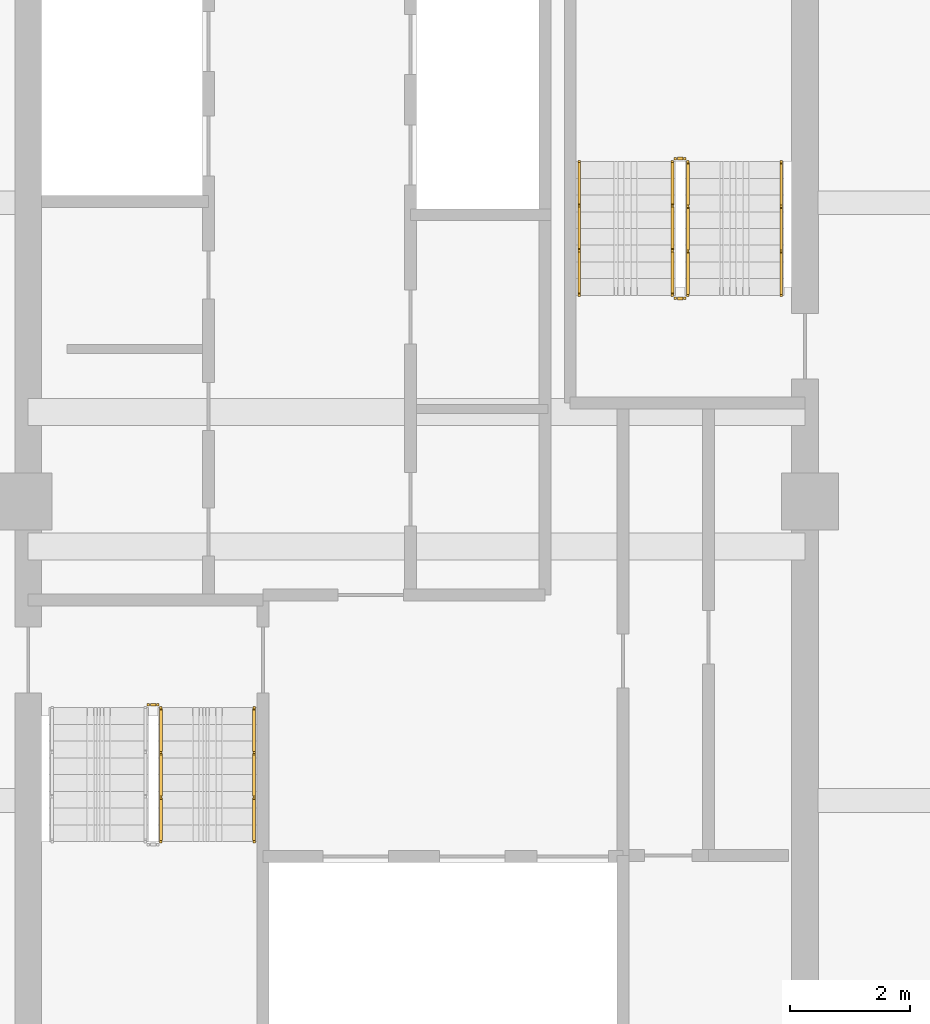
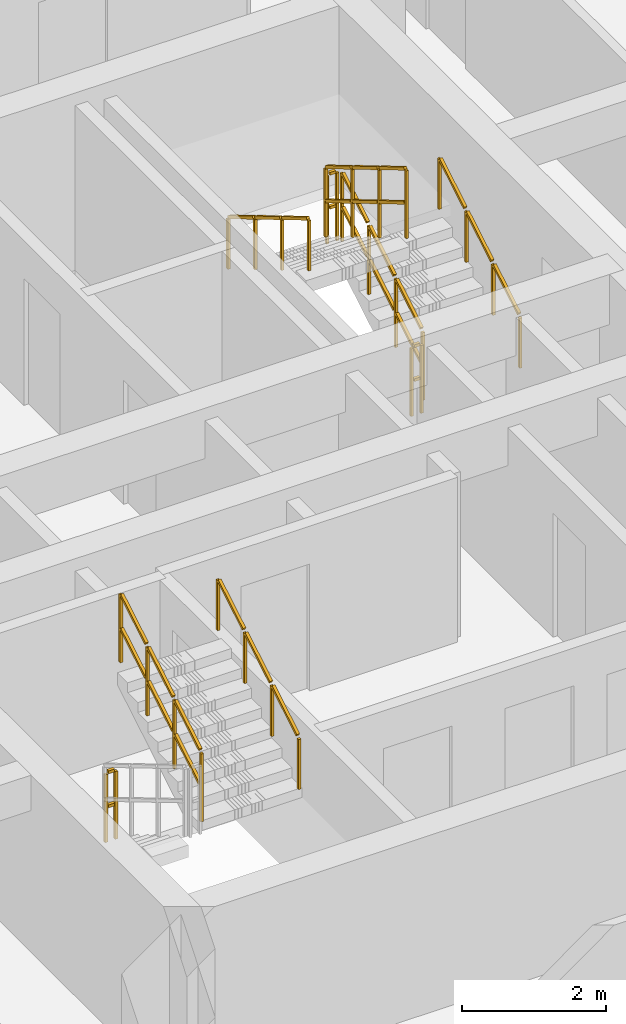
# One storey, part 10 of 12: 9 railings.
"""IFC4 building model written with IfcOpenShell, lengths in metres."""

from ifc_helpers import new_model, si_unit, direction, frame, origin, origin_2d, place, context, subcontext, project, spatial, rectangle, extrude, material, type_object, element, save


model = new_model("IFC4")

# Units and contexts
model_context = context("Model", 3, precision=1e-05, world=origin(), true_north=direction((0.0, 1.0)))
body_context = subcontext(model_context, "Body", "Model", "MODEL_VIEW")
ifc_project = project(units=[si_unit("LENGTHUNIT", "METRE"), si_unit("AREAUNIT", "SQUARE_METRE"), si_unit("VOLUMEUNIT", "CUBIC_METRE"), si_unit("PLANEANGLEUNIT", "RADIAN"), si_unit("MASSUNIT", "GRAM", prefix="KILO")], contexts=[model_context])

# Site, building, storey
site_placement = place(None, origin())
site = spatial("IfcSite", under=ifc_project, at=site_placement, CompositionType="ELEMENT")
building_placement = place(site_placement, origin())
building = spatial("IfcBuilding", under=site, at=building_placement, Name="Saelheon Loggia Tower", CompositionType="ELEMENT")
storey_placement = place(building_placement, frame((0.0, 0.0, 243.0)))
storey = spatial("IfcBuildingStorey", under=building, at=storey_placement, Name="L75", CompositionType="ELEMENT", Elevation=243.0)

# Railings
ifc_material_1 = material(Name="Galvanised Steel S275 Stairwell Guardrail", Category="steel")
railing_type_1 = type_object("IfcRailingType", Name="Guard_StairWell_RL_STG", PredefinedType="GUARDRAIL", material=ifc_material_1)
railing_1_placement = place(storey_placement, frame((33.719970703125, 21.31005859375, 1.666748046875)))
element("IfcRailing", 1, at=railing_1_placement, inside=storey, type_object=railing_type_1, Name="L75 ST1 stair guard 3", PredefinedType="GUARDRAIL", context=body_context, shape_type="SweptSolid", body=[
    extrude(rectangle(XDim=0.048095703125, YDim=0.048095703125, at=origin_2d()), frame((0.0, 0.028564453125, 1.19287109375), z_axis=(0.0, 0.859305625298, 0.511462454469), x_axis=(-1.0, 0.0, 0.0)), (0.0, 0.0, 1.0), 0.802490234375),
    extrude(rectangle(XDim=0.048095703125, YDim=0.048095703125, at=origin_2d()), frame((0.0, 0.028564453125, 0.616943359375), z_axis=(0.0, 0.859305625298, 0.511462454469), x_axis=(-1.0, 0.0, 0.0)), (0.0, 0.0, 1.0), 0.802490234375),
    extrude(rectangle(XDim=0.048095703125, YDim=0.048095703125, at=origin_2d()), frame((0.0, 0.775146484375, 1.63720703125), z_axis=(0.0, 0.859305625298, 0.511462454469), x_axis=(-1.0, 0.0, 0.0)), (0.0, 0.0, 1.0), 0.802490234375),
    extrude(rectangle(XDim=0.048095703125, YDim=0.048095703125, at=origin_2d()), frame((0.0, 0.775146484375, 1.061279296875), z_axis=(0.0, 0.859305625298, 0.511462454469), x_axis=(-1.0, 0.0, 0.0)), (0.0, 0.0, 1.0), 0.802490234375),
    extrude(rectangle(XDim=0.048095703125, YDim=0.048095703125, at=origin_2d()), frame((0.0, 1.52197265625, 2.081787109375), z_axis=(0.0, 0.859305625298, 0.511462454469), x_axis=(-1.0, 0.0, 0.0)), (0.0, 0.0, 1.0), 0.802490234375),
    extrude(rectangle(XDim=0.048095703125, YDim=0.048095703125, at=origin_2d()), frame((0.0, 1.52197265625, 1.505859375), z_axis=(0.0, 0.859305625298, 0.511462454469), x_axis=(-1.0, 0.0, 0.0)), (0.0, 0.0, 1.0), 0.802490234375),
    extrude(rectangle(XDim=0.0419921875, YDim=0.0419921875, at=origin_2d()), origin(), (0.0, 0.0, 1.0), 1.14794921875),
    extrude(rectangle(XDim=0.0419921875, YDim=0.0419921875, at=origin_2d()), frame((0.0, 0.74658203125, 0.4443359375)), (0.0, 0.0, 1.0), 1.14794921875),
    extrude(rectangle(XDim=0.0419921875, YDim=0.0419921875, at=origin_2d()), frame((0.0, 1.493408203125, 0.888916015625)), (0.0, 0.0, 1.0), 1.14794921875),
    extrude(rectangle(XDim=0.0419921875, YDim=0.0419921875, at=origin_2d()), frame((0.0, 2.239990234375, 1.333251953125)), (0.0, 0.0, 1.0), 1.14794921875),
])
railing_2_placement = place(storey_placement, frame((33.510009765625, 23.60009765625, 0.0)))
element("IfcRailing", 2, at=railing_2_placement, inside=storey, type_object=railing_type_1, Name="L75 ST1 stair guard 4", PredefinedType="GUARDRAIL", context=body_context, shape_type="SweptSolid", body=[
    extrude(rectangle(XDim=0.048095703125, YDim=0.048095703125, at=origin_2d()), frame((0.033203125, 0.0, 1.17578125), z_axis=(1.0, 0.0, 0.0), x_axis=(0.0, 1.0, 0.0)), (0.0, 0.0, 1.0), 0.093505859375),
    extrude(rectangle(XDim=0.048095703125, YDim=0.048095703125, at=origin_2d()), frame((0.033203125, 0.0, 0.60009765625), z_axis=(1.0, 0.0, 0.0), x_axis=(0.0, 1.0, 0.0)), (0.0, 0.0, 1.0), 0.093505859375),
    extrude(rectangle(XDim=0.0419921875, YDim=0.0419921875, at=origin_2d()), origin(), (0.0, 0.0, 1.0), 1.14794921875),
    extrude(rectangle(XDim=0.0419921875, YDim=0.0419921875, at=origin_2d()), frame((0.159912109375, 0.0, 0.0)), (0.0, 0.0, 1.0), 1.14794921875),
])
railing_3_placement = place(storey_placement, frame((42.5400390625, 30.449951171875, 0.166748046875)))
element("IfcRailing", 3, at=railing_3_placement, inside=storey, type_object=railing_type_1, Name="L75 ST2 stair guard 1", PredefinedType="GUARDRAIL", context=body_context, shape_type="SweptSolid", body=[
    extrude(rectangle(XDim=0.048095703125, YDim=0.048095703125, at=origin_2d()), frame((0.0, 0.028564453125, 1.19287109375), z_axis=(0.0, 0.859305625298, 0.511462454469), x_axis=(-1.0, 0.0, 0.0)), (0.0, 0.0, 1.0), 0.802490234375),
    extrude(rectangle(XDim=0.048095703125, YDim=0.048095703125, at=origin_2d()), frame((0.0, 0.028564453125, 0.616943359375), z_axis=(0.0, 0.859305625298, 0.511462454469), x_axis=(-1.0, 0.0, 0.0)), (0.0, 0.0, 1.0), 0.802490234375),
    extrude(rectangle(XDim=0.048095703125, YDim=0.048095703125, at=origin_2d()), frame((0.0, 0.775146484375, 1.63720703125), z_axis=(0.0, 0.859305625298, 0.511462454469), x_axis=(-1.0, 0.0, 0.0)), (0.0, 0.0, 1.0), 0.802490234375),
    extrude(rectangle(XDim=0.048095703125, YDim=0.048095703125, at=origin_2d()), frame((0.0, 0.775146484375, 1.061279296875), z_axis=(0.0, 0.859305625298, 0.511462454469), x_axis=(-1.0, 0.0, 0.0)), (0.0, 0.0, 1.0), 0.802490234375),
    extrude(rectangle(XDim=0.048095703125, YDim=0.048095703125, at=origin_2d()), frame((0.0, 1.52197265625, 2.081787109375), z_axis=(0.0, 0.859305625298, 0.511462454469), x_axis=(-1.0, 0.0, 0.0)), (0.0, 0.0, 1.0), 0.802490234375),
    extrude(rectangle(XDim=0.048095703125, YDim=0.048095703125, at=origin_2d()), frame((0.0, 1.52197265625, 1.505859375), z_axis=(0.0, 0.859305625298, 0.511462454469), x_axis=(-1.0, 0.0, 0.0)), (0.0, 0.0, 1.0), 0.802490234375),
    extrude(rectangle(XDim=0.0419921875, YDim=0.0419921875, at=origin_2d()), origin(), (0.0, 0.0, 1.0), 1.14794921875),
    extrude(rectangle(XDim=0.0419921875, YDim=0.0419921875, at=origin_2d()), frame((0.0, 0.74658203125, 0.4443359375)), (0.0, 0.0, 1.0), 1.14794921875),
    extrude(rectangle(XDim=0.0419921875, YDim=0.0419921875, at=origin_2d()), frame((0.0, 1.493408203125, 0.888916015625)), (0.0, 0.0, 1.0), 1.14794921875),
    extrude(rectangle(XDim=0.0419921875, YDim=0.0419921875, at=origin_2d()), frame((0.0, 2.239990234375, 1.333251953125)), (0.0, 0.0, 1.0), 1.14794921875),
])
railing_4_placement = place(storey_placement, frame((42.489990234375, 32.739990234375, 1.5)))
element("IfcRailing", 4, at=railing_4_placement, inside=storey, type_object=railing_type_1, Name="L75 ST2 stair guard 2", PredefinedType="GUARDRAIL", context=body_context, shape_type="SweptSolid", body=[
    extrude(rectangle(XDim=0.048095703125, YDim=0.048095703125, at=origin_2d()), frame((-0.033203125, 0.0, 1.17578125), z_axis=(-1.0, 0.0, 0.0), x_axis=(0.0, -1.0, 0.0)), (0.0, 0.0, 1.0), 0.093505859375),
    extrude(rectangle(XDim=0.048095703125, YDim=0.048095703125, at=origin_2d()), frame((-0.033203125, 0.0, 0.60009765625), z_axis=(-1.0, 0.0, 0.0), x_axis=(0.0, -1.0, 0.0)), (0.0, 0.0, 1.0), 0.093505859375),
    extrude(rectangle(XDim=0.0419921875, YDim=0.0419921875, at=origin_2d()), origin(), (0.0, 0.0, 1.0), 1.14794921875),
    extrude(rectangle(XDim=0.0419921875, YDim=0.0419921875, at=origin_2d()), frame((-0.159912109375, 0.0, 0.0)), (0.0, 0.0, 1.0), 1.14794921875),
])
railing_5_placement = place(storey_placement, frame((42.280029296875, 32.68994140625, 1.666748046875)))
element("IfcRailing", 5, at=railing_5_placement, inside=storey, type_object=railing_type_1, Name="L75 ST2 stair guard 3", PredefinedType="GUARDRAIL", context=body_context, shape_type="SweptSolid", body=[
    extrude(rectangle(XDim=0.048095703125, YDim=0.048095703125, at=origin_2d()), frame((0.0, -0.028564453125, 1.19287109375), z_axis=(0.0, -0.859305625298, 0.511462454469), x_axis=(1.0, 0.0, 0.0)), (0.0, 0.0, 1.0), 0.802490234375),
    extrude(rectangle(XDim=0.048095703125, YDim=0.048095703125, at=origin_2d()), frame((0.0, -0.028564453125, 0.616943359375), z_axis=(0.0, -0.859305625298, 0.511462454469), x_axis=(1.0, 0.0, 0.0)), (0.0, 0.0, 1.0), 0.802490234375),
    extrude(rectangle(XDim=0.048095703125, YDim=0.048095703125, at=origin_2d()), frame((0.0, -0.775146484375, 1.63720703125), z_axis=(0.0, -0.859305625298, 0.511462454469), x_axis=(1.0, 0.0, 0.0)), (0.0, 0.0, 1.0), 0.802490234375),
    extrude(rectangle(XDim=0.048095703125, YDim=0.048095703125, at=origin_2d()), frame((0.0, -0.775146484375, 1.061279296875), z_axis=(0.0, -0.859305625298, 0.511462454469), x_axis=(1.0, 0.0, 0.0)), (0.0, 0.0, 1.0), 0.802490234375),
    extrude(rectangle(XDim=0.048095703125, YDim=0.048095703125, at=origin_2d()), frame((0.0, -1.52197265625, 2.081787109375), z_axis=(0.0, -0.859305625298, 0.511462454469), x_axis=(1.0, 0.0, 0.0)), (0.0, 0.0, 1.0), 0.802490234375),
    extrude(rectangle(XDim=0.048095703125, YDim=0.048095703125, at=origin_2d()), frame((0.0, -1.52197265625, 1.505859375), z_axis=(0.0, -0.859305625298, 0.511462454469), x_axis=(1.0, 0.0, 0.0)), (0.0, 0.0, 1.0), 0.802490234375),
    extrude(rectangle(XDim=0.0419921875, YDim=0.0419921875, at=origin_2d()), origin(), (0.0, 0.0, 1.0), 1.14794921875),
    extrude(rectangle(XDim=0.0419921875, YDim=0.0419921875, at=origin_2d()), frame((0.0, -0.74658203125, 0.4443359375)), (0.0, 0.0, 1.0), 1.14794921875),
    extrude(rectangle(XDim=0.0419921875, YDim=0.0419921875, at=origin_2d()), frame((0.0, -1.493408203125, 0.888916015625)), (0.0, 0.0, 1.0), 1.14794921875),
    extrude(rectangle(XDim=0.0419921875, YDim=0.0419921875, at=origin_2d()), frame((0.0, -2.239990234375, 1.333251953125)), (0.0, 0.0, 1.0), 1.14794921875),
])
railing_6_placement = place(storey_placement, frame((42.489990234375, 30.39990234375, 0.0)))
element("IfcRailing", 6, at=railing_6_placement, inside=storey, type_object=railing_type_1, Name="L75 ST2 stair guard 4", PredefinedType="GUARDRAIL", context=body_context, shape_type="SweptSolid", body=[
    extrude(rectangle(XDim=0.048095703125, YDim=0.048095703125, at=origin_2d()), frame((-0.033203125, 0.0, 1.17578125), z_axis=(-1.0, 0.0, 0.0), x_axis=(0.0, -1.0, 0.0)), (0.0, 0.0, 1.0), 0.093505859375),
    extrude(rectangle(XDim=0.048095703125, YDim=0.048095703125, at=origin_2d()), frame((-0.033203125, 0.0, 0.60009765625), z_axis=(-1.0, 0.0, 0.0), x_axis=(0.0, -1.0, 0.0)), (0.0, 0.0, 1.0), 0.093505859375),
    extrude(rectangle(XDim=0.0419921875, YDim=0.0419921875, at=origin_2d()), origin(), (0.0, 0.0, 1.0), 1.14794921875),
    extrude(rectangle(XDim=0.0419921875, YDim=0.0419921875, at=origin_2d()), frame((-0.159912109375, 0.0, 0.0)), (0.0, 0.0, 1.0), 1.14794921875),
])
ifc_material_2 = material(Name="Stainless Steel 304 Tubular Handrail", Category="steel")
railing_type_2 = type_object("IfcRailingType", Name="Handrail_Stair_RL_HR1", PredefinedType="HANDRAIL", material=ifc_material_2)
for number, where, name in (
    (7, (35.280029296875, 21.31005859375, 1.666748046875), "L75 ST1 stair handrail 2"),
    (8, (44.10009765625, 30.449951171875, 0.166748046875), "L75 ST2 stair handrail 1"),
):
    element("IfcRailing", number, at=place(storey_placement, frame(where)), inside=storey, type_object=railing_type_2, Name=name, PredefinedType="HANDRAIL", context=body_context, shape_type="SweptSolid", body=[
        extrude(rectangle(XDim=0.048095703125, YDim=0.048095703125, at=origin_2d()), frame((0.0, 0.028564453125, 0.892822265625), z_axis=(0.0, 0.859305625298, 0.511462454469), x_axis=(-1.0, 0.0, 0.0)), (0.0, 0.0, 1.0), 0.802490234375),
        extrude(rectangle(XDim=0.048095703125, YDim=0.048095703125, at=origin_2d()), frame((0.0, 0.775146484375, 1.337158203125), z_axis=(0.0, 0.859305625298, 0.511462454469), x_axis=(-1.0, 0.0, 0.0)), (0.0, 0.0, 1.0), 0.802490234375),
        extrude(rectangle(XDim=0.048095703125, YDim=0.048095703125, at=origin_2d()), frame((0.0, 1.52197265625, 1.78173828125), z_axis=(0.0, 0.859305625298, 0.511462454469), x_axis=(-1.0, 0.0, 0.0)), (0.0, 0.0, 1.0), 0.802490234375),
        extrude(rectangle(XDim=0.0419921875, YDim=0.0419921875, at=origin_2d()), origin(), (0.0, 0.0, 1.0), 0.847900390625),
        extrude(rectangle(XDim=0.0419921875, YDim=0.0419921875, at=origin_2d()), frame((0.0, 0.74658203125, 0.4443359375)), (0.0, 0.0, 1.0), 0.847900390625),
        extrude(rectangle(XDim=0.0419921875, YDim=0.0419921875, at=origin_2d()), frame((0.0, 1.493408203125, 0.888916015625)), (0.0, 0.0, 1.0), 0.847900390625),
        extrude(rectangle(XDim=0.0419921875, YDim=0.0419921875, at=origin_2d()), frame((0.0, 2.239990234375, 1.333251953125)), (0.0, 0.0, 1.0), 0.847900390625),
    ])
railing_7_placement = place(storey_placement, frame((40.719970703125, 32.68994140625, 1.666748046875)))
element("IfcRailing", 9, at=railing_7_placement, inside=storey, type_object=railing_type_2, Name="L75 ST2 stair handrail 2", PredefinedType="HANDRAIL", context=body_context, shape_type="SweptSolid", body=[
    extrude(rectangle(XDim=0.048095703125, YDim=0.048095703125, at=origin_2d()), frame((0.0, -0.028564453125, 0.892822265625), z_axis=(0.0, -0.859305625298, 0.511462454469), x_axis=(1.0, 0.0, 0.0)), (0.0, 0.0, 1.0), 0.802490234375),
    extrude(rectangle(XDim=0.048095703125, YDim=0.048095703125, at=origin_2d()), frame((0.0, -0.775146484375, 1.337158203125), z_axis=(0.0, -0.859305625298, 0.511462454469), x_axis=(1.0, 0.0, 0.0)), (0.0, 0.0, 1.0), 0.802490234375),
    extrude(rectangle(XDim=0.048095703125, YDim=0.048095703125, at=origin_2d()), frame((0.0, -1.52197265625, 1.78173828125), z_axis=(0.0, -0.859305625298, 0.511462454469), x_axis=(1.0, 0.0, 0.0)), (0.0, 0.0, 1.0), 0.802490234375),
    extrude(rectangle(XDim=0.0419921875, YDim=0.0419921875, at=origin_2d()), origin(), (0.0, 0.0, 1.0), 0.847900390625),
    extrude(rectangle(XDim=0.0419921875, YDim=0.0419921875, at=origin_2d()), frame((0.0, -0.74658203125, 0.4443359375)), (0.0, 0.0, 1.0), 0.847900390625),
    extrude(rectangle(XDim=0.0419921875, YDim=0.0419921875, at=origin_2d()), frame((0.0, -1.493408203125, 0.888916015625)), (0.0, 0.0, 1.0), 0.847900390625),
    extrude(rectangle(XDim=0.0419921875, YDim=0.0419921875, at=origin_2d()), frame((0.0, -2.239990234375, 1.333251953125)), (0.0, 0.0, 1.0), 0.847900390625),
])

save(model, "model.ifc")
